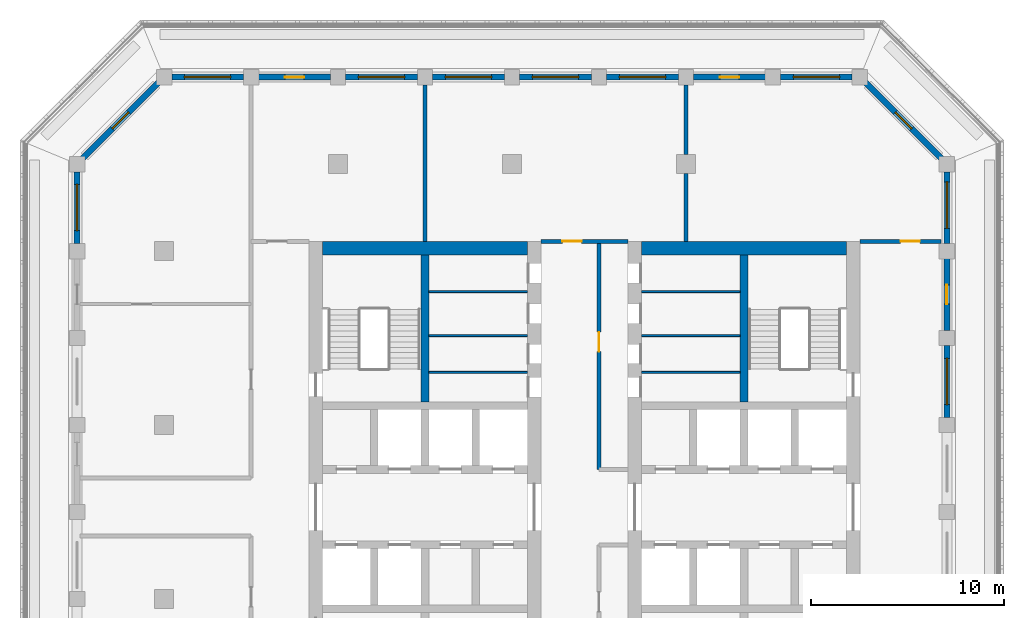
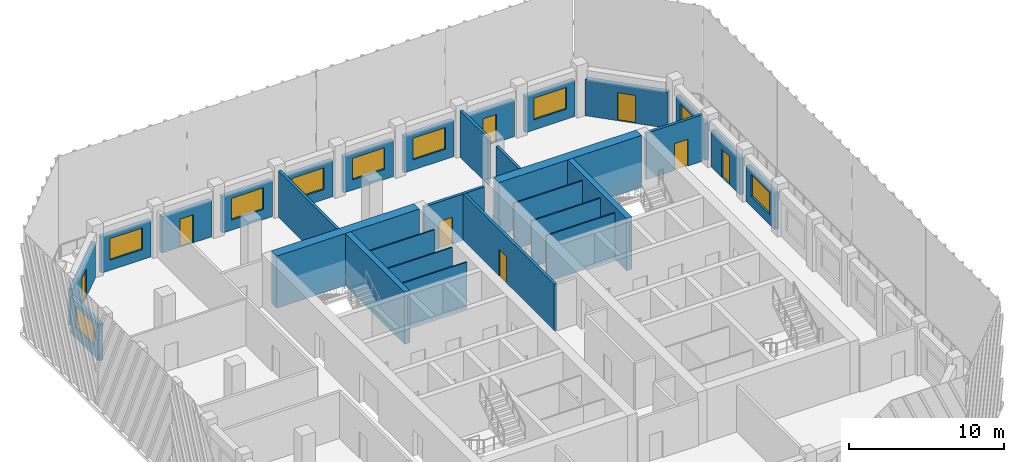
# One storey, part 6 of 15: 30 walls, 9 windows, 8 doors, 17 openings.
"""IFC4 building model written with IfcOpenShell, lengths in metres."""

from ifc_helpers import new_model, si_unit, direction, frame, frame_2d, origin, place, context, subcontext, project, spatial, rectangle, extrude, material, layer, layer_set, type_object, element, fill, save


model = new_model("IFC4")

# Units and contexts
model_context = context("Model", 3, precision=1e-05, world=origin(), true_north=direction((0.0, 1.0)))
body_context = subcontext(model_context, "Body", "Model", "MODEL_VIEW")
ifc_project = project(units=[si_unit("LENGTHUNIT", "METRE"), si_unit("AREAUNIT", "SQUARE_METRE"), si_unit("VOLUMEUNIT", "CUBIC_METRE"), si_unit("PLANEANGLEUNIT", "RADIAN"), si_unit("MASSUNIT", "GRAM", prefix="KILO")], contexts=[model_context])

# Site, building, storey
site_placement = place(None, origin())
site = spatial("IfcSite", under=ifc_project, at=site_placement, CompositionType="ELEMENT")
building_placement = place(site_placement, origin())
building = spatial("IfcBuilding", under=site, at=building_placement, Name="Corbel Stack Research Tower", CompositionType="ELEMENT")
storey_placement = place(building_placement, frame((0.0, 0.0, 274.5)))
storey = spatial("IfcBuildingStorey", under=building, at=storey_placement, Name="L62", CompositionType="ELEMENT", Elevation=274.5)

# Walls
ifc_material_1 = material(Name="Concrete C60/75", Category="concrete")
ifc_layer_1 = layer(ifc_material_1, 0.39990234375)
ifc_layer_set_1 = layer_set([ifc_layer_1], Name="Concrete C60/75")
wall_type_1 = type_object("IfcWallType", Name="CW-400-60", PredefinedType="SHEAR", material=ifc_layer_set_1)
for number, where, z_axis, x_axis, name in (
    (1, (-4.5, 10.199951171875, 0.0), (0.0, 0.0, 1.0), (0.0, 1.0, 0.0), "West core wall, north stair and riser L62"),
    (2, (12.0, 10.199951171875, 0.0), (0.0, 0.0, 1.0), (0.0, 1.0, 0.0), "East core wall, north stair and riser L62"),
):
    element("IfcWall", number, at=place(storey_placement, frame(where, z_axis=z_axis, x_axis=x_axis)), inside=storey, type_object=wall_type_1, Name=name, PredefinedType="SHEAR", context=body_context, shape_type="SweptSolid", body=[
        extrude(rectangle(XDim=7.60009765625, YDim=0.39990234375, at=frame_2d((3.800048828125, 0.0))), origin(), (0.0, 0.0, 1.0), 4.10009765625),
    ])
ifc_material_2 = material(Name="Concrete C60/75", Category="concrete")
ifc_layer_2 = layer(ifc_material_2, 0.699951171875)
ifc_layer_set_2 = layer_set([ifc_layer_2], Name="Concrete C60/75")
wall_type_2 = type_object("IfcWallType", Name="CW-700-60", PredefinedType="SHEAR", material=ifc_layer_set_2)
for number, where, z_axis, x_axis, name in (
    (3, (-9.800048828125, 18.14990234375, 0.0), (0.0, 0.0, 1.0), (1.0, 0.0, 0.0), "West core wall, north end L62"),
    (4, (6.699951171875, 18.14990234375, 0.0), (0.0, 0.0, 1.0), (1.0, 0.0, 0.0), "East core wall, north end L62"),
):
    element("IfcWall", number, at=place(storey_placement, frame(where, z_axis=z_axis, x_axis=x_axis)), inside=storey, type_object=wall_type_2, Name=name, PredefinedType="SHEAR", context=body_context, shape_type="SweptSolid", body=[
        extrude(rectangle(XDim=10.60009765625, YDim=0.699951171875, at=frame_2d((5.300048828125, 0.0))), origin(), (0.0, 0.0, 1.0), 4.10009765625),
    ])
ifc_material_3 = material(Name="Gypsum board")
ifc_layer_3 = layer(ifc_material_3, 0.10009765625)
ifc_layer_set_3 = layer_set([ifc_layer_3], Name="Gypsum board")
wall_type_3 = type_object("IfcWallType", Name="Core partition 100", PredefinedType="PARTITIONING", material=ifc_layer_set_3)
for number, where, z_axis, x_axis, name in (
    (5, (-4.300048828125, 11.719970703125, 0.0), (0.0, 0.0, 1.0), (1.0, 0.0, 0.0), "Core partition W"),
    (6, (-4.300048828125, 13.6201171875, 0.0), (0.0, 0.0, 1.0), (1.0, 0.0, 0.0), "Core partition W"),
    (7, (-4.300048828125, 15.89990234375, 0.0), (0.0, 0.0, 1.0), (1.0, 0.0, 0.0), "Core partition W"),
    (8, (6.699951171875, 11.719970703125, 0.0), (0.0, 0.0, 1.0), (1.0, 0.0, 0.0), "Core partition E"),
    (9, (6.699951171875, 13.6201171875, 0.0), (0.0, 0.0, 1.0), (1.0, 0.0, 0.0), "Core partition E"),
    (10, (6.699951171875, 15.89990234375, 0.0), (0.0, 0.0, 1.0), (1.0, 0.0, 0.0), "Core partition E"),
):
    element("IfcWall", number, at=place(storey_placement, frame(where, z_axis=z_axis, x_axis=x_axis)), inside=storey, type_object=wall_type_3, Name=name, PredefinedType="PARTITIONING", context=body_context, shape_type="SweptSolid", body=[
        extrude(rectangle(XDim=5.10009765625, YDim=0.10009765625, at=frame_2d((2.550048828125, 0.0))), origin(), (0.0, 0.0, 1.0), 3.64990234375),
    ])
ifc_material_4 = material(Name="Fire-rated gypsum board partition on steel studs", Category="steel")
ifc_layer_4 = layer(ifc_material_4, 0.199951171875)
ifc_layer_set_4 = layer_set([ifc_layer_4], Name="Fire-rated gypsum board partition on steel studs")
wall_type_4 = type_object("IfcWallType", Name="Fire-rated partition 200 EI 60", PredefinedType="PARTITIONING", material=ifc_layer_set_4)
wall_1_placement = place(storey_placement, frame((-4.5, 18.5, 0.0), z_axis=(0.0, 0.0, 1.0), x_axis=(0.0, 1.0, 0.0)))
element("IfcWall", 11, at=wall_1_placement, inside=storey, type_object=wall_type_4, Name="Partition L62-004", PredefinedType="PARTITIONING", context=body_context, shape_type="SweptSolid", body=[
    extrude(rectangle(XDim=8.10009765625, YDim=0.199951171875, at=frame_2d((4.050048828125, 0.0))), origin(), (0.0, 0.0, 1.0), 3.64990234375),
])

# Wall, opening, door
wall_2_placement = place(storey_placement, frame((4.5, 18.5, 0.0), z_axis=(0.0, 0.0, 1.0), x_axis=(0.0, -1.0, 0.0)))
wall_2 = element("IfcWall", 12, at=wall_2_placement, inside=storey, type_object=wall_type_4, Name="Partition L62-007", PredefinedType="PARTITIONING", context=body_context, shape_type="SweptSolid", body=[
    extrude(rectangle(XDim=11.800048828125, YDim=0.199951171875, at=frame_2d((5.89990234375, 0.0))), origin(), (0.0, 0.0, 1.0), 3.64990234375),
])
opening_1_placement = place(wall_2_placement, frame((4.699951171875, 0.0, 0.0)))
opening_1 = element("IfcOpeningElement", 13, at=opening_1_placement, cuts=wall_2, Name="Opening B8V1-009", PredefinedType="OPENING", context=body_context, shape_type="SweptSolid", body=[
    extrude(rectangle(XDim=1.0, YDim=2.10009765625, at=frame_2d((0.5, 1.050048828125))), frame((0.0, 0.10986328125, 0.0), z_axis=(0.0, -1.0, 0.0), x_axis=(1.0, 0.0, 0.0)), (0.0, 0.0, 1.0), 0.219970703125),
])
ifc_material_5 = material(Name="Painted steel fire door", Category="steel")
door_type_1 = type_object("IfcDoorType", Name="Fire door FD30S 1000 x 2100", OperationType="NOTDEFINED", PredefinedType="DOOR", material=ifc_material_5)
door_1_placement = place(opening_1_placement, origin())
door_1 = element("IfcDoor", 14, at=door_1_placement, inside=storey, type_object=door_type_1, Name="Door B8V1-009", OperationType="SINGLE_SWING_LEFT", OverallHeight=2.10009765625, OverallWidth=1.0, PredefinedType="DOOR", context=body_context, shape_type="SweptSolid", body=[
    extrude(rectangle(XDim=1.0, YDim=2.10009765625, at=frame_2d((0.5, 1.050048828125))), frame((0.0, 0.02490234375, 0.0), z_axis=(0.0, -1.0, 0.0), x_axis=(1.0, 0.0, 0.0)), (0.0, 0.0, 1.0), 0.050048828125),
])
fill(opening_1, door_1)

# Walls
wall_3_placement = place(storey_placement, frame((9.0, 18.5, 0.0), z_axis=(0.0, 0.0, 1.0), x_axis=(0.0, 1.0, 0.0)))
element("IfcWall", 15, at=wall_3_placement, inside=storey, type_object=wall_type_4, Name="Partition L62-009", PredefinedType="PARTITIONING", context=body_context, shape_type="SweptSolid", body=[
    extrude(rectangle(XDim=3.5, YDim=0.199951171875, at=frame_2d((1.75, 0.0))), origin(), (0.0, 0.0, 1.0), 3.64990234375),
])
wall_4_placement = place(storey_placement, frame((9.0, 23.0, 0.0), z_axis=(0.0, 0.0, 1.0), x_axis=(0.0, 1.0, 0.0)))
element("IfcWall", 16, at=wall_4_placement, inside=storey, type_object=wall_type_4, Name="Partition L62-010", PredefinedType="PARTITIONING", context=body_context, shape_type="SweptSolid", body=[
    extrude(rectangle(XDim=3.60009765625, YDim=0.199951171875, at=frame_2d((1.800048828125, 0.0))), origin(), (0.0, 0.0, 1.0), 3.64990234375),
])

# Wall, opening, door
wall_5_placement = place(storey_placement, frame((1.5, 18.5, 0.0), z_axis=(0.0, 0.0, 1.0), x_axis=(1.0, 0.0, 0.0)))
wall_5 = element("IfcWall", 17, at=wall_5_placement, inside=storey, type_object=wall_type_4, Name="Partition L62-023", PredefinedType="PARTITIONING", context=body_context, shape_type="SweptSolid", body=[
    extrude(rectangle(XDim=4.5, YDim=0.199951171875, at=frame_2d((2.25, 0.0))), origin(), (0.0, 0.0, 1.0), 3.64990234375),
])
opening_2_placement = place(wall_5_placement, frame((1.10009765625, 0.0, 0.0)))
opening_2 = element("IfcOpeningElement", 18, at=opening_2_placement, cuts=wall_5, Name="Opening B8V1-012", PredefinedType="OPENING", context=body_context, shape_type="SweptSolid", body=[
    extrude(rectangle(XDim=1.0, YDim=2.10009765625, at=frame_2d((0.5, 1.050048828125))), frame((0.0, 0.10986328125, 0.0), z_axis=(0.0, -1.0, 0.0), x_axis=(1.0, 0.0, 0.0)), (0.0, 0.0, 1.0), 0.219970703125),
])
door_2_placement = place(opening_2_placement, origin())
door_2 = element("IfcDoor", 19, at=door_2_placement, inside=storey, type_object=door_type_1, Name="Door B8V1-012", OperationType="SINGLE_SWING_LEFT", OverallHeight=2.10009765625, OverallWidth=1.0, PredefinedType="DOOR", context=body_context, shape_type="SweptSolid", body=[
    extrude(rectangle(XDim=1.0, YDim=2.10009765625, at=frame_2d((0.5, 1.050048828125))), frame((0.0, 0.02490234375, 0.0), z_axis=(0.0, -1.0, 0.0), x_axis=(1.0, 0.0, 0.0)), (0.0, 0.0, 1.0), 0.050048828125),
])
fill(opening_2, door_2)

wall_6_placement = place(storey_placement, frame((18.0, 18.5, 0.0), z_axis=(0.0, 0.0, 1.0), x_axis=(1.0, 0.0, 0.0)))
wall_6 = element("IfcWall", 20, at=wall_6_placement, inside=storey, type_object=wall_type_4, Name="Partition L62-024", PredefinedType="PARTITIONING", context=body_context, shape_type="SweptSolid", body=[
    extrude(rectangle(XDim=4.200927734375, YDim=0.199951171875, at=frame_2d((2.1005859375, 0.0))), origin(), (0.0, 0.0, 1.0), 3.64990234375),
])
opening_3_placement = place(wall_6_placement, frame((2.10009765625, 0.0, 0.0)))
opening_3 = element("IfcOpeningElement", 21, at=opening_3_placement, cuts=wall_6, Name="Opening B8V1-013", PredefinedType="OPENING", context=body_context, shape_type="SweptSolid", body=[
    extrude(rectangle(XDim=1.0, YDim=2.10009765625, at=frame_2d((0.5, 1.050048828125))), frame((0.0, 0.10986328125, 0.0), z_axis=(0.0, -1.0, 0.0), x_axis=(1.0, 0.0, 0.0)), (0.0, 0.0, 1.0), 0.219970703125),
])
door_3_placement = place(opening_3_placement, origin())
door_3 = element("IfcDoor", 22, at=door_3_placement, inside=storey, type_object=door_type_1, Name="Door B8V1-013", OperationType="SINGLE_SWING_RIGHT", OverallHeight=2.10009765625, OverallWidth=1.0, PredefinedType="DOOR", context=body_context, shape_type="SweptSolid", body=[
    extrude(rectangle(XDim=1.0, YDim=2.10009765625, at=frame_2d((0.5, 1.050048828125))), frame((0.0, 0.02490234375, 0.0), z_axis=(0.0, -1.0, 0.0), x_axis=(1.0, 0.0, 0.0)), (0.0, 0.0, 1.0), 0.050048828125),
])
fill(opening_3, door_3)

# Wall, opening, window
ifc_material_6 = material(Name="Concrete C45/55", Category="concrete")
ifc_layer_5 = layer(ifc_material_6, 0.300048828125)
ifc_layer_set_5 = layer_set([ifc_layer_5], Name="Concrete C45/55")
wall_type_5 = type_object("IfcWallType", Name="Terracotta-faced concrete wall 300", PredefinedType="SOLIDWALL", material=ifc_layer_set_5)
wall_7_placement = place(storey_placement, frame((22.5, 13.10009765625, 0.0), z_axis=(0.0, 0.0, 1.0), x_axis=(0.0, -1.0, 0.0)))
wall_7 = element("IfcWall", 23, at=wall_7_placement, inside=storey, type_object=wall_type_5, Name="Facade wall L62 E06", PredefinedType="SOLIDWALL", context=body_context, shape_type="SweptSolid", body=[
    extrude(rectangle(XDim=3.7001953125, YDim=0.300048828125, at=frame_2d((1.85009765625, 0.0))), origin(), (0.0, 0.0, 1.0), 2.85009765625),
])
opening_4_placement = place(wall_7_placement, frame((0.64990234375, 0.0, 0.800048828125)))
opening_4 = element("IfcOpeningElement", 24, at=opening_4_placement, cuts=wall_7, Name="Opening W1", PredefinedType="OPENING", context=body_context, shape_type="SweptSolid", body=[
    extrude(rectangle(XDim=2.39990234375, YDim=1.699951171875, at=frame_2d((1.199951171875, 0.85009765625))), frame((0.0, 0.159912109375, 0.0), z_axis=(0.0, -1.0, 0.0), x_axis=(1.0, 0.0, 0.0)), (0.0, 0.0, 1.0), 0.320068359375),
])
ifc_material_7 = material(Name="Aluminium frame, clear double glazing", Category="aluminium")
window_type = type_object("IfcWindowType", Name="Window W1 2400 x 1700", PartitioningType="SINGLE_PANEL", PredefinedType="WINDOW", material=ifc_material_7)
window_1_placement = place(opening_4_placement, origin())
window_1 = element("IfcWindow", 25, at=window_1_placement, inside=storey, type_object=window_type, Name="Window W1 L62 E06", OverallHeight=1.699951171875, OverallWidth=2.39990234375, PartitioningType="SINGLE_PANEL", PredefinedType="WINDOW", context=body_context, shape_type="SweptSolid", body=[
    extrude(rectangle(XDim=2.39990234375, YDim=1.699951171875, at=frame_2d((1.199951171875, 0.85009765625))), frame((0.0, 0.030029296875, 0.0), z_axis=(0.0, -1.0, 0.0), x_axis=(1.0, 0.0, 0.0)), (0.0, 0.0, 1.0), 0.06005859375),
])
fill(opening_4, window_1)

# Wall, opening, door
wall_8_placement = place(storey_placement, frame((22.5, 17.60009765625, 0.0), z_axis=(0.0, 0.0, 1.0), x_axis=(0.0, -1.0, 0.0)))
wall_8 = element("IfcWall", 26, at=wall_8_placement, inside=storey, type_object=wall_type_5, Name="Facade wall L62 E07", PredefinedType="SOLIDWALL", context=body_context, shape_type="SweptSolid", body=[
    extrude(rectangle(XDim=3.7001953125, YDim=0.300048828125, at=frame_2d((1.85009765625, 0.0))), origin(), (0.0, 0.0, 1.0), 2.85009765625),
])
opening_5_placement = place(wall_8_placement, frame((1.35009765625, 0.0, 0.0)))
opening_5 = element("IfcOpeningElement", 27, at=opening_5_placement, cuts=wall_8, Name="Opening L62-B05", PredefinedType="OPENING", context=body_context, shape_type="SweptSolid", body=[
    extrude(rectangle(XDim=1.0, YDim=2.199951171875, at=frame_2d((0.5, 1.10009765625))), frame((0.0, 0.159912109375, 0.0), z_axis=(0.0, -1.0, 0.0), x_axis=(1.0, 0.0, 0.0)), (0.0, 0.0, 1.0), 0.320068359375),
])
ifc_material_8 = material(Name="Aluminium frame, clear double glazing", Category="aluminium")
door_type_2 = type_object("IfcDoorType", Name="Balcony door BD1 1000 x 2200", OperationType="NOTDEFINED", PredefinedType="DOOR", material=ifc_material_8)
door_4_placement = place(opening_5_placement, origin())
door_4 = element("IfcDoor", 28, at=door_4_placement, inside=storey, type_object=door_type_2, Name="Balcony door L62-B05", OperationType="SINGLE_SWING_LEFT", OverallHeight=2.199951171875, OverallWidth=1.0, PredefinedType="DOOR", context=body_context, shape_type="SweptSolid", body=[
    extrude(rectangle(XDim=1.0, YDim=2.199951171875, at=frame_2d((0.5, 1.10009765625))), frame((0.0, 0.02490234375, 0.0), z_axis=(0.0, -1.0, 0.0), x_axis=(1.0, 0.0, 0.0)), (0.0, 0.0, 1.0), 0.050048828125),
])
fill(opening_5, door_4)

# Wall, opening, window
wall_9_placement = place(storey_placement, frame((22.5, 22.10009765625, 0.0), z_axis=(0.0, 0.0, 1.0), x_axis=(0.0, -1.0, 0.0)))
wall_9 = element("IfcWall", 29, at=wall_9_placement, inside=storey, type_object=wall_type_5, Name="Facade wall L62 E08", PredefinedType="SOLIDWALL", context=body_context, shape_type="SweptSolid", body=[
    extrude(rectangle(XDim=3.7001953125, YDim=0.300048828125, at=frame_2d((1.85009765625, 0.0))), origin(), (0.0, 0.0, 1.0), 2.85009765625),
])
opening_6_placement = place(wall_9_placement, frame((0.52490234375, 0.0, 0.800048828125)))
opening_6 = element("IfcOpeningElement", 30, at=opening_6_placement, cuts=wall_9, Name="Opening W1", PredefinedType="OPENING", context=body_context, shape_type="SweptSolid", body=[
    extrude(rectangle(XDim=2.39990234375, YDim=1.699951171875, at=frame_2d((1.199951171875, 0.85009765625))), frame((0.0, 0.159912109375, 0.0), z_axis=(0.0, -1.0, 0.0), x_axis=(1.0, 0.0, 0.0)), (0.0, 0.0, 1.0), 0.320068359375),
])
window_2_placement = place(opening_6_placement, origin())
window_2 = element("IfcWindow", 31, at=window_2_placement, inside=storey, type_object=window_type, Name="Window W1 L62 E08", OverallHeight=1.699951171875, OverallWidth=2.39990234375, PartitioningType="SINGLE_PANEL", PredefinedType="WINDOW", context=body_context, shape_type="SweptSolid", body=[
    extrude(rectangle(XDim=2.39990234375, YDim=1.699951171875, at=frame_2d((1.199951171875, 0.85009765625))), frame((0.0, 0.030029296875, 0.0), z_axis=(0.0, -1.0, 0.0), x_axis=(1.0, 0.0, 0.0)), (0.0, 0.0, 1.0), 0.06005859375),
])
fill(opening_6, window_2)

# Wall, opening, door
wall_10_placement = place(storey_placement, frame((18.2939453125, 26.7060546875, 0.0), z_axis=(0.0, 0.0, 1.0), x_axis=(0.707106781187, -0.707106781187, 0.0)))
wall_10 = element("IfcWall", 32, at=wall_10_placement, inside=storey, type_object=wall_type_5, Name="Facade wall L62 NE01", PredefinedType="SOLIDWALL", context=body_context, shape_type="SweptSolid", body=[
    extrude(rectangle(XDim=5.532470703125, YDim=0.300048828125, at=frame_2d((2.76611328125, 0.0))), origin(), (0.0, 0.0, 1.0), 2.85009765625),
])
opening_7_placement = place(wall_10_placement, frame((2.166259765625, 0.0, 0.0)))
opening_7 = element("IfcOpeningElement", 33, at=opening_7_placement, cuts=wall_10, Name="Opening L62-B06", PredefinedType="OPENING", context=body_context, shape_type="SweptSolid", body=[
    extrude(rectangle(XDim=1.199951171875, YDim=2.199951171875, at=frame_2d((0.60009765625, 1.10009765625))), frame((0.0, 0.159912109375, 0.0), z_axis=(0.0, -1.0, 0.0), x_axis=(1.0, 0.0, 0.0)), (0.0, 0.0, 1.0), 0.320068359375),
])
ifc_material_9 = material(Name="Aluminium frame, clear double glazing", Category="aluminium")
door_type_3 = type_object("IfcDoorType", Name="Balcony door BD2 1200 x 2200", OperationType="NOTDEFINED", PredefinedType="DOOR", material=ifc_material_9)
door_5_placement = place(opening_7_placement, origin())
door_5 = element("IfcDoor", 34, at=door_5_placement, inside=storey, type_object=door_type_3, Name="Balcony door L62-B06", OperationType="SINGLE_SWING_LEFT", OverallHeight=2.199951171875, OverallWidth=1.199951171875, PredefinedType="DOOR", context=body_context, shape_type="SweptSolid", body=[
    extrude(rectangle(XDim=1.199951171875, YDim=2.199951171875, at=frame_2d((0.60009765625, 1.10009765625))), frame((0.0, 0.02490234375, 0.0), z_axis=(0.0, -1.0, 0.0), x_axis=(1.0, 0.0, 0.0)), (0.0, 0.0, 1.0), 0.050048828125),
])
fill(opening_7, door_5)

# Wall, opening, window
wall_11_placement = place(storey_placement, frame((13.89990234375, 27.0, 0.0), z_axis=(0.0, 0.0, 1.0), x_axis=(1.0, 0.0, 0.0)))
wall_11 = element("IfcWall", 35, at=wall_11_placement, inside=storey, type_object=wall_type_5, Name="Facade wall L62 N01", PredefinedType="SOLIDWALL", context=body_context, shape_type="SweptSolid", body=[
    extrude(rectangle(XDim=3.7001953125, YDim=0.300048828125, at=frame_2d((1.85009765625, 0.0))), origin(), (0.0, 0.0, 1.0), 2.85009765625),
])
opening_8_placement = place(wall_11_placement, frame((0.64990234375, 0.0, 0.800048828125)))
opening_8 = element("IfcOpeningElement", 36, at=opening_8_placement, cuts=wall_11, Name="Opening W1", PredefinedType="OPENING", context=body_context, shape_type="SweptSolid", body=[
    extrude(rectangle(XDim=2.39990234375, YDim=1.699951171875, at=frame_2d((1.199951171875, 0.85009765625))), frame((0.0, 0.159912109375, 0.0), z_axis=(0.0, -1.0, 0.0), x_axis=(1.0, 0.0, 0.0)), (0.0, 0.0, 1.0), 0.320068359375),
])
window_3_placement = place(opening_8_placement, origin())
window_3 = element("IfcWindow", 37, at=window_3_placement, inside=storey, type_object=window_type, Name="Window W1 L62 N01", OverallHeight=1.699951171875, OverallWidth=2.39990234375, PartitioningType="SINGLE_PANEL", PredefinedType="WINDOW", context=body_context, shape_type="SweptSolid", body=[
    extrude(rectangle(XDim=2.39990234375, YDim=1.699951171875, at=frame_2d((1.199951171875, 0.85009765625))), frame((0.0, 0.030029296875, 0.0), z_axis=(0.0, -1.0, 0.0), x_axis=(1.0, 0.0, 0.0)), (0.0, 0.0, 1.0), 0.06005859375),
])
fill(opening_8, window_3)

# Wall, opening, door
wall_12_placement = place(storey_placement, frame((9.39990234375, 27.0, 0.0), z_axis=(0.0, 0.0, 1.0), x_axis=(1.0, 0.0, 0.0)))
wall_12 = element("IfcWall", 38, at=wall_12_placement, inside=storey, type_object=wall_type_5, Name="Facade wall L62 N02", PredefinedType="SOLIDWALL", context=body_context, shape_type="SweptSolid", body=[
    extrude(rectangle(XDim=3.7001953125, YDim=0.300048828125, at=frame_2d((1.85009765625, 0.0))), origin(), (0.0, 0.0, 1.0), 2.85009765625),
])
opening_9_placement = place(wall_12_placement, frame((1.35009765625, 0.0, 0.0)))
opening_9 = element("IfcOpeningElement", 39, at=opening_9_placement, cuts=wall_12, Name="Opening L62-B07", PredefinedType="OPENING", context=body_context, shape_type="SweptSolid", body=[
    extrude(rectangle(XDim=1.0, YDim=2.199951171875, at=frame_2d((0.5, 1.10009765625))), frame((0.0, 0.159912109375, 0.0), z_axis=(0.0, -1.0, 0.0), x_axis=(1.0, 0.0, 0.0)), (0.0, 0.0, 1.0), 0.320068359375),
])
door_6_placement = place(opening_9_placement, origin())
door_6 = element("IfcDoor", 40, at=door_6_placement, inside=storey, type_object=door_type_2, Name="Balcony door L62-B07", OperationType="SINGLE_SWING_RIGHT", OverallHeight=2.199951171875, OverallWidth=1.0, PredefinedType="DOOR", context=body_context, shape_type="SweptSolid", body=[
    extrude(rectangle(XDim=1.0, YDim=2.199951171875, at=frame_2d((0.5, 1.10009765625))), frame((0.0, 0.02490234375, 0.0), z_axis=(0.0, -1.0, 0.0), x_axis=(1.0, 0.0, 0.0)), (0.0, 0.0, 1.0), 0.050048828125),
])
fill(opening_9, door_6)

# Wall, opening, window
wall_13_placement = place(storey_placement, frame((4.89990234375, 27.0, 0.0), z_axis=(0.0, 0.0, 1.0), x_axis=(1.0, 0.0, 0.0)))
wall_13 = element("IfcWall", 41, at=wall_13_placement, inside=storey, type_object=wall_type_5, Name="Facade wall L62 N03", PredefinedType="SOLIDWALL", context=body_context, shape_type="SweptSolid", body=[
    extrude(rectangle(XDim=3.7001953125, YDim=0.300048828125, at=frame_2d((1.85009765625, 0.0))), origin(), (0.0, 0.0, 1.0), 2.85009765625),
])
opening_10_placement = place(wall_13_placement, frame((0.64990234375, 0.0, 0.800048828125)))
opening_10 = element("IfcOpeningElement", 42, at=opening_10_placement, cuts=wall_13, Name="Opening W1", PredefinedType="OPENING", context=body_context, shape_type="SweptSolid", body=[
    extrude(rectangle(XDim=2.39990234375, YDim=1.699951171875, at=frame_2d((1.199951171875, 0.85009765625))), frame((0.0, 0.159912109375, 0.0), z_axis=(0.0, -1.0, 0.0), x_axis=(1.0, 0.0, 0.0)), (0.0, 0.0, 1.0), 0.320068359375),
])
window_4_placement = place(opening_10_placement, origin())
window_4 = element("IfcWindow", 43, at=window_4_placement, inside=storey, type_object=window_type, Name="Window W1 L62 N03", OverallHeight=1.699951171875, OverallWidth=2.39990234375, PartitioningType="SINGLE_PANEL", PredefinedType="WINDOW", context=body_context, shape_type="SweptSolid", body=[
    extrude(rectangle(XDim=2.39990234375, YDim=1.699951171875, at=frame_2d((1.199951171875, 0.85009765625))), frame((0.0, 0.030029296875, 0.0), z_axis=(0.0, -1.0, 0.0), x_axis=(1.0, 0.0, 0.0)), (0.0, 0.0, 1.0), 0.06005859375),
])
fill(opening_10, window_4)

wall_14_placement = place(storey_placement, frame((0.39990234375, 27.0, 0.0), z_axis=(0.0, 0.0, 1.0), x_axis=(1.0, 0.0, 0.0)))
wall_14 = element("IfcWall", 44, at=wall_14_placement, inside=storey, type_object=wall_type_5, Name="Facade wall L62 N04", PredefinedType="SOLIDWALL", context=body_context, shape_type="SweptSolid", body=[
    extrude(rectangle(XDim=3.7001953125, YDim=0.300048828125, at=frame_2d((1.85009765625, 0.0))), origin(), (0.0, 0.0, 1.0), 2.85009765625),
])
opening_11_placement = place(wall_14_placement, frame((0.64990234375, 0.0, 0.800048828125)))
opening_11 = element("IfcOpeningElement", 45, at=opening_11_placement, cuts=wall_14, Name="Opening W1", PredefinedType="OPENING", context=body_context, shape_type="SweptSolid", body=[
    extrude(rectangle(XDim=2.39990234375, YDim=1.699951171875, at=frame_2d((1.199951171875, 0.85009765625))), frame((0.0, 0.159912109375, 0.0), z_axis=(0.0, -1.0, 0.0), x_axis=(1.0, 0.0, 0.0)), (0.0, 0.0, 1.0), 0.320068359375),
])
window_5_placement = place(opening_11_placement, origin())
window_5 = element("IfcWindow", 46, at=window_5_placement, inside=storey, type_object=window_type, Name="Window W1 L62 N04", OverallHeight=1.699951171875, OverallWidth=2.39990234375, PartitioningType="SINGLE_PANEL", PredefinedType="WINDOW", context=body_context, shape_type="SweptSolid", body=[
    extrude(rectangle(XDim=2.39990234375, YDim=1.699951171875, at=frame_2d((1.199951171875, 0.85009765625))), frame((0.0, 0.030029296875, 0.0), z_axis=(0.0, -1.0, 0.0), x_axis=(1.0, 0.0, 0.0)), (0.0, 0.0, 1.0), 0.06005859375),
])
fill(opening_11, window_5)

wall_15_placement = place(storey_placement, frame((-4.10009765625, 27.0, 0.0), z_axis=(0.0, 0.0, 1.0), x_axis=(1.0, 0.0, 0.0)))
wall_15 = element("IfcWall", 47, at=wall_15_placement, inside=storey, type_object=wall_type_5, Name="Facade wall L62 N05", PredefinedType="SOLIDWALL", context=body_context, shape_type="SweptSolid", body=[
    extrude(rectangle(XDim=3.7001953125, YDim=0.300048828125, at=frame_2d((1.85009765625, 0.0))), origin(), (0.0, 0.0, 1.0), 2.85009765625),
])
opening_12_placement = place(wall_15_placement, frame((0.64990234375, 0.0, 0.800048828125)))
opening_12 = element("IfcOpeningElement", 48, at=opening_12_placement, cuts=wall_15, Name="Opening W1", PredefinedType="OPENING", context=body_context, shape_type="SweptSolid", body=[
    extrude(rectangle(XDim=2.39990234375, YDim=1.699951171875, at=frame_2d((1.199951171875, 0.85009765625))), frame((0.0, 0.159912109375, 0.0), z_axis=(0.0, -1.0, 0.0), x_axis=(1.0, 0.0, 0.0)), (0.0, 0.0, 1.0), 0.320068359375),
])
window_6_placement = place(opening_12_placement, origin())
window_6 = element("IfcWindow", 49, at=window_6_placement, inside=storey, type_object=window_type, Name="Window W1 L62 N05", OverallHeight=1.699951171875, OverallWidth=2.39990234375, PartitioningType="SINGLE_PANEL", PredefinedType="WINDOW", context=body_context, shape_type="SweptSolid", body=[
    extrude(rectangle(XDim=2.39990234375, YDim=1.699951171875, at=frame_2d((1.199951171875, 0.85009765625))), frame((0.0, 0.030029296875, 0.0), z_axis=(0.0, -1.0, 0.0), x_axis=(1.0, 0.0, 0.0)), (0.0, 0.0, 1.0), 0.06005859375),
])
fill(opening_12, window_6)

wall_16_placement = place(storey_placement, frame((-8.60009765625, 27.0, 0.0), z_axis=(0.0, 0.0, 1.0), x_axis=(1.0, 0.0, 0.0)))
wall_16 = element("IfcWall", 50, at=wall_16_placement, inside=storey, type_object=wall_type_5, Name="Facade wall L62 N06", PredefinedType="SOLIDWALL", context=body_context, shape_type="SweptSolid", body=[
    extrude(rectangle(XDim=3.7001953125, YDim=0.300048828125, at=frame_2d((1.85009765625, 0.0))), origin(), (0.0, 0.0, 1.0), 2.85009765625),
])
opening_13_placement = place(wall_16_placement, frame((0.64990234375, 0.0, 0.800048828125)))
opening_13 = element("IfcOpeningElement", 51, at=opening_13_placement, cuts=wall_16, Name="Opening W1", PredefinedType="OPENING", context=body_context, shape_type="SweptSolid", body=[
    extrude(rectangle(XDim=2.39990234375, YDim=1.699951171875, at=frame_2d((1.199951171875, 0.85009765625))), frame((0.0, 0.159912109375, 0.0), z_axis=(0.0, -1.0, 0.0), x_axis=(1.0, 0.0, 0.0)), (0.0, 0.0, 1.0), 0.320068359375),
])
window_7_placement = place(opening_13_placement, origin())
window_7 = element("IfcWindow", 52, at=window_7_placement, inside=storey, type_object=window_type, Name="Window W1 L62 N06", OverallHeight=1.699951171875, OverallWidth=2.39990234375, PartitioningType="SINGLE_PANEL", PredefinedType="WINDOW", context=body_context, shape_type="SweptSolid", body=[
    extrude(rectangle(XDim=2.39990234375, YDim=1.699951171875, at=frame_2d((1.199951171875, 0.85009765625))), frame((0.0, 0.030029296875, 0.0), z_axis=(0.0, -1.0, 0.0), x_axis=(1.0, 0.0, 0.0)), (0.0, 0.0, 1.0), 0.06005859375),
])
fill(opening_13, window_7)

# Wall, opening, door
wall_17_placement = place(storey_placement, frame((-13.10009765625, 27.0, 0.0), z_axis=(0.0, 0.0, 1.0), x_axis=(1.0, 0.0, 0.0)))
wall_17 = element("IfcWall", 53, at=wall_17_placement, inside=storey, type_object=wall_type_5, Name="Facade wall L62 N07", PredefinedType="SOLIDWALL", context=body_context, shape_type="SweptSolid", body=[
    extrude(rectangle(XDim=3.7001953125, YDim=0.300048828125, at=frame_2d((1.85009765625, 0.0))), origin(), (0.0, 0.0, 1.0), 2.85009765625),
])
opening_14_placement = place(wall_17_placement, frame((1.35009765625, 0.0, 0.0)))
opening_14 = element("IfcOpeningElement", 54, at=opening_14_placement, cuts=wall_17, Name="Opening L62-B08", PredefinedType="OPENING", context=body_context, shape_type="SweptSolid", body=[
    extrude(rectangle(XDim=1.0, YDim=2.199951171875, at=frame_2d((0.5, 1.10009765625))), frame((0.0, 0.159912109375, 0.0), z_axis=(0.0, -1.0, 0.0), x_axis=(1.0, 0.0, 0.0)), (0.0, 0.0, 1.0), 0.320068359375),
])
door_7_placement = place(opening_14_placement, origin())
door_7 = element("IfcDoor", 55, at=door_7_placement, inside=storey, type_object=door_type_2, Name="Balcony door L62-B08", OperationType="SINGLE_SWING_LEFT", OverallHeight=2.199951171875, OverallWidth=1.0, PredefinedType="DOOR", context=body_context, shape_type="SweptSolid", body=[
    extrude(rectangle(XDim=1.0, YDim=2.199951171875, at=frame_2d((0.5, 1.10009765625))), frame((0.0, 0.02490234375, 0.0), z_axis=(0.0, -1.0, 0.0), x_axis=(1.0, 0.0, 0.0)), (0.0, 0.0, 1.0), 0.050048828125),
])
fill(opening_14, door_7)

# Wall, opening, window
wall_18_placement = place(storey_placement, frame((-17.60009765625, 27.0, 0.0), z_axis=(0.0, 0.0, 1.0), x_axis=(1.0, 0.0, 0.0)))
wall_18 = element("IfcWall", 56, at=wall_18_placement, inside=storey, type_object=wall_type_5, Name="Facade wall L62 N08", PredefinedType="SOLIDWALL", context=body_context, shape_type="SweptSolid", body=[
    extrude(rectangle(XDim=3.7001953125, YDim=0.300048828125, at=frame_2d((1.85009765625, 0.0))), origin(), (0.0, 0.0, 1.0), 2.85009765625),
])
opening_15_placement = place(wall_18_placement, frame((0.64990234375, 0.0, 0.800048828125)))
opening_15 = element("IfcOpeningElement", 57, at=opening_15_placement, cuts=wall_18, Name="Opening W1", PredefinedType="OPENING", context=body_context, shape_type="SweptSolid", body=[
    extrude(rectangle(XDim=2.39990234375, YDim=1.699951171875, at=frame_2d((1.199951171875, 0.85009765625))), frame((0.0, 0.159912109375, 0.0), z_axis=(0.0, -1.0, 0.0), x_axis=(1.0, 0.0, 0.0)), (0.0, 0.0, 1.0), 0.320068359375),
])
window_8_placement = place(opening_15_placement, origin())
window_8 = element("IfcWindow", 58, at=window_8_placement, inside=storey, type_object=window_type, Name="Window W1 L62 N08", OverallHeight=1.699951171875, OverallWidth=2.39990234375, PartitioningType="SINGLE_PANEL", PredefinedType="WINDOW", context=body_context, shape_type="SweptSolid", body=[
    extrude(rectangle(XDim=2.39990234375, YDim=1.699951171875, at=frame_2d((1.199951171875, 0.85009765625))), frame((0.0, 0.030029296875, 0.0), z_axis=(0.0, -1.0, 0.0), x_axis=(1.0, 0.0, 0.0)), (0.0, 0.0, 1.0), 0.06005859375),
])
fill(opening_15, window_8)

# Wall, opening, door
wall_19_placement = place(storey_placement, frame((-22.2060546875, 22.7939453125, 0.0), z_axis=(0.0, 0.0, 1.0), x_axis=(0.707106781187, 0.707106781187, 0.0)))
wall_19 = element("IfcWall", 59, at=wall_19_placement, inside=storey, type_object=wall_type_5, Name="Facade wall L62 NW01", PredefinedType="SOLIDWALL", context=body_context, shape_type="SweptSolid", body=[
    extrude(rectangle(XDim=5.532470703125, YDim=0.300048828125, at=frame_2d((2.76611328125, 0.0))), origin(), (0.0, 0.0, 1.0), 2.85009765625),
])
opening_16_placement = place(wall_19_placement, frame((2.166259765625, 0.0, 0.0)))
opening_16 = element("IfcOpeningElement", 60, at=opening_16_placement, cuts=wall_19, Name="Opening L62-B09", PredefinedType="OPENING", context=body_context, shape_type="SweptSolid", body=[
    extrude(rectangle(XDim=1.199951171875, YDim=2.199951171875, at=frame_2d((0.60009765625, 1.10009765625))), frame((0.0, 0.159912109375, 0.0), z_axis=(0.0, -1.0, 0.0), x_axis=(1.0, 0.0, 0.0)), (0.0, 0.0, 1.0), 0.320068359375),
])
door_8_placement = place(opening_16_placement, origin())
door_8 = element("IfcDoor", 61, at=door_8_placement, inside=storey, type_object=door_type_3, Name="Balcony door L62-B09", OperationType="SINGLE_SWING_LEFT", OverallHeight=2.199951171875, OverallWidth=1.199951171875, PredefinedType="DOOR", context=body_context, shape_type="SweptSolid", body=[
    extrude(rectangle(XDim=1.199951171875, YDim=2.199951171875, at=frame_2d((0.60009765625, 1.10009765625))), frame((0.0, 0.02490234375, 0.0), z_axis=(0.0, -1.0, 0.0), x_axis=(1.0, 0.0, 0.0)), (0.0, 0.0, 1.0), 0.050048828125),
])
fill(opening_16, door_8)

# Wall, opening, window
wall_20_placement = place(storey_placement, frame((-22.5, 18.39990234375, 0.0), z_axis=(0.0, 0.0, 1.0), x_axis=(0.0, 1.0, 0.0)))
wall_20 = element("IfcWall", 62, at=wall_20_placement, inside=storey, type_object=wall_type_5, Name="Facade wall L62 W01", PredefinedType="SOLIDWALL", context=body_context, shape_type="SweptSolid", body=[
    extrude(rectangle(XDim=3.7001953125, YDim=0.300048828125, at=frame_2d((1.85009765625, 0.0))), origin(), (0.0, 0.0, 1.0), 2.85009765625),
])
opening_17_placement = place(wall_20_placement, frame((0.64990234375, 0.0, 0.800048828125)))
opening_17 = element("IfcOpeningElement", 63, at=opening_17_placement, cuts=wall_20, Name="Opening W1", PredefinedType="OPENING", context=body_context, shape_type="SweptSolid", body=[
    extrude(rectangle(XDim=2.39990234375, YDim=1.699951171875, at=frame_2d((1.199951171875, 0.85009765625))), frame((0.0, 0.159912109375, 0.0), z_axis=(0.0, -1.0, 0.0), x_axis=(1.0, 0.0, 0.0)), (0.0, 0.0, 1.0), 0.320068359375),
])
window_9_placement = place(opening_17_placement, origin())
window_9 = element("IfcWindow", 64, at=window_9_placement, inside=storey, type_object=window_type, Name="Window W1 L62 W01", OverallHeight=1.699951171875, OverallWidth=2.39990234375, PartitioningType="SINGLE_PANEL", PredefinedType="WINDOW", context=body_context, shape_type="SweptSolid", body=[
    extrude(rectangle(XDim=2.39990234375, YDim=1.699951171875, at=frame_2d((1.199951171875, 0.85009765625))), frame((0.0, 0.030029296875, 0.0), z_axis=(0.0, -1.0, 0.0), x_axis=(1.0, 0.0, 0.0)), (0.0, 0.0, 1.0), 0.06005859375),
])
fill(opening_17, window_9)

save(model, "model.ifc")
